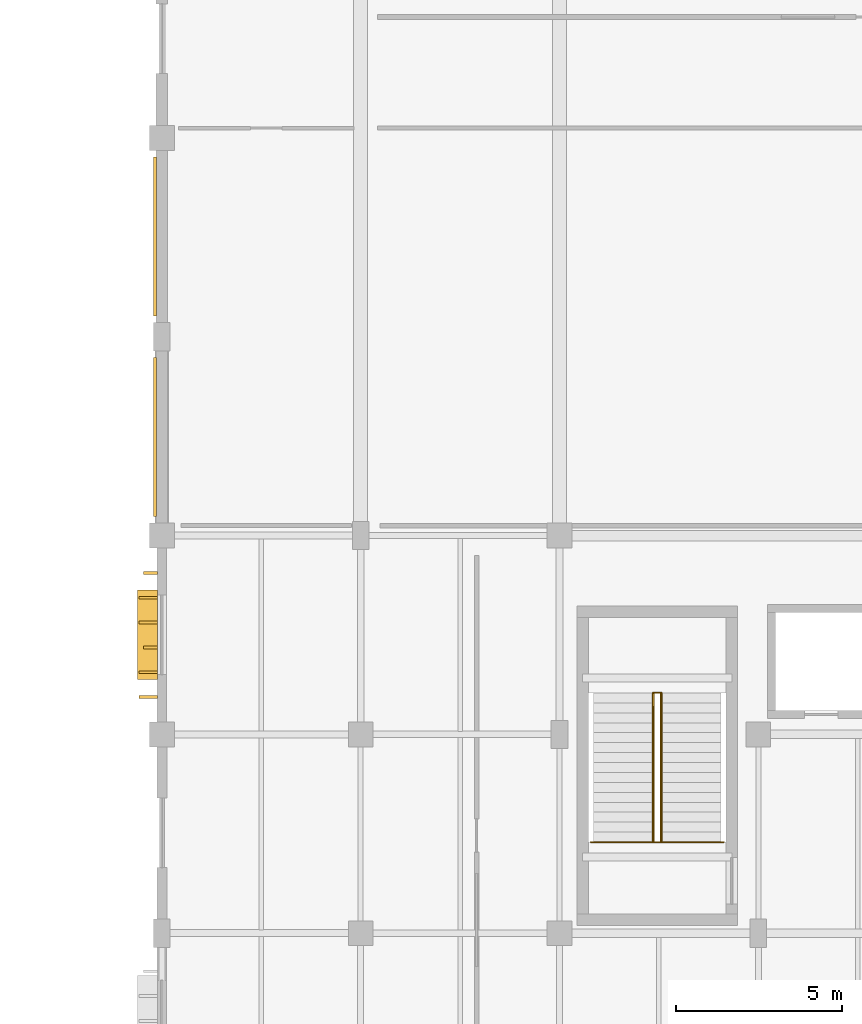
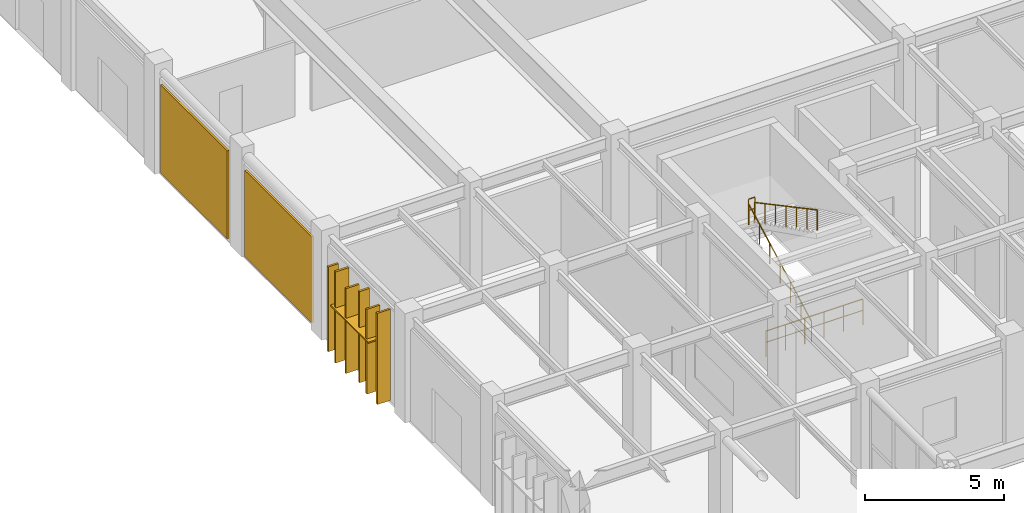
# One storey, part 68 of 76: 6 coverings, 4 railings, 3 shading devices.
"""IFC4 building model written with IfcOpenShell, lengths in metres."""

from ifc_helpers import new_model, si_unit, direction, frame, origin, origin_2d, place, context, subcontext, project, spatial, rectangle, circle, extrude, material, layer, layer_set, type_object, element, save


model = new_model("IFC4")

# Units and contexts
model_context = context("Model", 3, precision=1e-05, world=origin(), true_north=direction((0.0, 1.0)))
body_context = subcontext(model_context, "Body", "Model", "MODEL_VIEW")
ifc_project = project(units=[si_unit("LENGTHUNIT", "METRE"), si_unit("AREAUNIT", "SQUARE_METRE"), si_unit("VOLUMEUNIT", "CUBIC_METRE"), si_unit("PLANEANGLEUNIT", "RADIAN"), si_unit("MASSUNIT", "GRAM", prefix="KILO")], contexts=[model_context])

# Site, building, storey
site_placement = place(None, origin())
site = spatial("IfcSite", under=ifc_project, at=site_placement, CompositionType="ELEMENT")
building_placement = place(site_placement, origin())
building = spatial("IfcBuilding", under=site, at=building_placement, Name="Varnakota Square Police Headquarters", CompositionType="ELEMENT")
storey_placement = place(building_placement, origin())
storey = spatial("IfcBuildingStorey", under=building, at=storey_placement, Name="L00", CompositionType="ELEMENT", Elevation=0.0)

# Coverings
ifc_material_1 = material(Name="White Anodised Aluminium Vertical Facade Blade 420", Category="aluminium")
ifc_layer_1 = layer(ifc_material_1, 0.0849609375, Name="White Anodised Aluminium Vertical Facade Blade 420")
ifc_layer_set_1 = layer_set([ifc_layer_1], Name="White Anodised Aluminium Vertical Facade Blade 420")
covering_type_1 = type_object("IfcCoveringType", Name="COV-FIN-420", PredefinedType="CLADDING", material=ifc_layer_set_1)
covering_1_placement = place(storey_placement, frame((5.655029296875, 71.625, 0.0400390625), z_axis=(0.0, 0.0, 1.0), x_axis=(0.0, 1.0, 0.0)))
element("IfcCovering", 1, at=covering_1_placement, inside=storey, type_object=covering_type_1, Name="Vertical aluminium facade fin FIN-0920", PredefinedType="CLADDING", context=body_context, shape_type="SweptSolid", body=[
    extrude(rectangle(XDim=0.0849609375, YDim=0.419921875, at=origin_2d()), origin(), (0.0, 0.0, 1.0), 4.003662109375),
])
covering_2_placement = place(storey_placement, frame((5.655029296875, 73.875, 0.0400390625), z_axis=(0.0, 0.0, 1.0), x_axis=(0.0, 1.0, 0.0)))
element("IfcCovering", 2, at=covering_2_placement, inside=storey, type_object=covering_type_1, Name="Vertical aluminium facade fin FIN-0923", PredefinedType="CLADDING", context=body_context, shape_type="SweptSolid", body=[
    extrude(rectangle(XDim=0.0849609375, YDim=0.419921875, at=origin_2d()), origin(), (0.0, 0.0, 1.0), 3.7236328125),
])
ifc_material_2 = material(Name="White Anodised Aluminium Vertical Facade Blade 550", Category="aluminium")
ifc_layer_2 = layer(ifc_material_2, 0.0849609375, Name="White Anodised Aluminium Vertical Facade Blade 550")
ifc_layer_set_2 = layer_set([ifc_layer_2], Name="White Anodised Aluminium Vertical Facade Blade 550")
covering_type_2 = type_object("IfcCoveringType", Name="COV-FIN-550", PredefinedType="CLADDING", material=ifc_layer_set_2)
covering_3_placement = place(storey_placement, frame((5.590087890625, 70.125, 0.0400390625), z_axis=(0.0, 0.0, 1.0), x_axis=(0.0, 1.0, 0.0)))
element("IfcCovering", 3, at=covering_3_placement, inside=storey, type_object=covering_type_2, Name="Vertical aluminium facade fin FIN-0918", PredefinedType="CLADDING", context=body_context, shape_type="SweptSolid", body=[
    extrude(rectangle(XDim=0.0849609375, YDim=0.550048828125, at=origin_2d()), origin(), (0.0, 0.0, 1.0), 4.003662109375),
])
for number, where, z_axis, x_axis, name in (
    (4, (5.590087890625, 70.875, 0.0400390625), (0.0, 0.0, 1.0), (0.0, 1.0, 0.0), "Vertical aluminium facade fin FIN-0919"),
    (5, (5.590087890625, 72.375, 0.0400390625), (0.0, 0.0, 1.0), (0.0, 1.0, 0.0), "Vertical aluminium facade fin FIN-0921"),
):
    element("IfcCovering", number, at=place(storey_placement, frame(where, z_axis=z_axis, x_axis=x_axis)), inside=storey, type_object=covering_type_2, Name=name, PredefinedType="CLADDING", context=body_context, shape_type="SweptSolid", body=[
        extrude(rectangle(XDim=0.0849609375, YDim=0.550048828125, at=origin_2d()), origin(), (0.0, 0.0, 1.0), 3.7236328125),
    ])
covering_4_placement = place(storey_placement, frame((5.590087890625, 73.125, 0.0400390625), z_axis=(0.0, 0.0, 1.0), x_axis=(0.0, 1.0, 0.0)))
element("IfcCovering", 6, at=covering_4_placement, inside=storey, type_object=covering_type_2, Name="Vertical aluminium facade fin FIN-0922", PredefinedType="CLADDING", context=body_context, shape_type="SweptSolid", body=[
    extrude(rectangle(XDim=0.0849609375, YDim=0.550048828125, at=origin_2d()), origin(), (0.0, 0.0, 1.0), 4.003662109375),
])

# Railings
ifc_material_3 = material(Name="Brushed Stainless Steel Tubular Handrail", Category="steel")
railing_type_1 = type_object("IfcRailingType", Name="RL-HND-920", PredefinedType="HANDRAIL", material=ifc_material_3)
railing_1_placement = place(storey_placement, frame((20.830078125, 65.75, 0.0)))
element("IfcRailing", 7, at=railing_1_placement, inside=storey, type_object=railing_type_1, Name="Stair flight handrail HR-L00-055", PredefinedType="HANDRAIL", context=body_context, shape_type="SweptSolid", body=[
    extrude(circle(Radius=0.02392578125, at=origin_2d()), frame((0.0, 0.0, 0.89599609375), z_axis=(0.0, 0.882392687573, 0.470513703219), x_axis=(-1.0, 0.0, 0.0)), (0.0, 0.0, 1.0), 5.1005859375),
    extrude(circle(Radius=0.02099609375, at=origin_2d()), origin(), (0.0, 0.0, 1.0), 0.871826171875),
    extrude(circle(Radius=0.02099609375, at=origin_2d()), frame((0.0, 0.75, 0.39990234375)), (0.0, 0.0, 1.0), 0.871826171875),
    extrude(circle(Radius=0.02099609375, at=origin_2d()), frame((0.0, 1.500244140625, 0.800048828125)), (0.0, 0.0, 1.0), 0.871826171875),
    extrude(circle(Radius=0.02099609375, at=origin_2d()), frame((0.0, 2.25048828125, 1.199951171875)), (0.0, 0.0, 1.0), 0.871826171875),
    extrude(circle(Radius=0.02099609375, at=origin_2d()), frame((0.0, 3.00048828125, 1.599853515625)), (0.0, 0.0, 1.0), 0.871826171875),
    extrude(circle(Radius=0.02099609375, at=origin_2d()), frame((0.0, 3.75048828125, 2.0)), (0.0, 0.0, 1.0), 0.871826171875),
    extrude(circle(Radius=0.02099609375, at=origin_2d()), frame((0.0, 4.500732421875, 2.39990234375)), (0.0, 0.0, 1.0), 0.871826171875),
])
railing_2_placement = place(storey_placement, frame((21.070068359375, 70.250732421875, 2.39990234375)))
element("IfcRailing", 8, at=railing_2_placement, inside=storey, type_object=railing_type_1, Name="Stair flight handrail HR-L00-056", PredefinedType="HANDRAIL", context=body_context, shape_type="SweptSolid", body=[
    extrude(circle(Radius=0.02392578125, at=origin_2d()), frame((0.0, 0.0, 0.89599609375), z_axis=(0.0, -0.882372814714, 0.470550970516), x_axis=(1.0, 0.0, 0.0)), (0.0, 0.0, 1.0), 5.100830078125),
    extrude(circle(Radius=0.02099609375, at=origin_2d()), origin(), (0.0, 0.0, 1.0), 0.871826171875),
    extrude(circle(Radius=0.02099609375, at=origin_2d()), frame((0.0, -0.75, 0.39990234375)), (0.0, 0.0, 1.0), 0.871826171875),
    extrude(circle(Radius=0.02099609375, at=origin_2d()), frame((0.0, -1.500244140625, 0.800048828125)), (0.0, 0.0, 1.0), 0.871826171875),
    extrude(circle(Radius=0.02099609375, at=origin_2d()), frame((0.0, -2.25048828125, 1.2001953125)), (0.0, 0.0, 1.0), 0.871826171875),
    extrude(circle(Radius=0.02099609375, at=origin_2d()), frame((0.0, -3.00048828125, 1.60009765625)), (0.0, 0.0, 1.0), 0.871826171875),
    extrude(circle(Radius=0.02099609375, at=origin_2d()), frame((0.0, -3.75048828125, 2.0)), (0.0, 0.0, 1.0), 0.871826171875),
    extrude(circle(Radius=0.02099609375, at=origin_2d()), frame((0.0, -4.500732421875, 2.400146484375)), (0.0, 0.0, 1.0), 0.871826171875),
])
ifc_material_4 = material(Name="Laminated Glass and Stainless Steel Balustrade", Category="steel")
railing_type_2 = type_object("IfcRailingType", Name="RL-INT-1150", PredefinedType="BALUSTRADE", material=ifc_material_4)
railing_3_placement = place(storey_placement, frame((18.93994140625, 65.75, 0.0)))
element("IfcRailing", 9, at=railing_3_placement, inside=storey, type_object=railing_type_2, Name="Stair well safety guard C5 L00", PredefinedType="BALUSTRADE", context=body_context, shape_type="SweptSolid", body=[
    extrude(circle(Radius=0.02392578125, at=origin_2d()), frame((0.0, 0.0, 1.1259765625), z_axis=(1.0, 0.0, 0.0), x_axis=(0.0, 1.0, 0.0)), (0.0, 0.0, 1.0), 4.02001953125),
    extrude(circle(Radius=0.01806640625, at=origin_2d()), frame((0.0, 0.0, 0.63232421875), z_axis=(1.0, 0.0, 0.0), x_axis=(0.0, 1.0, 0.0)), (0.0, 0.0, 1.0), 4.02001953125),
    extrude(circle(Radius=0.02099609375, at=origin_2d()), origin(), (0.0, 0.0, 1.0), 1.101806640625),
    extrude(circle(Radius=0.02099609375, at=origin_2d()), frame((0.803955078125, 0.0, 0.0)), (0.0, 0.0, 1.0), 1.101806640625),
    extrude(circle(Radius=0.02099609375, at=origin_2d()), frame((1.60791015625, 0.0, 0.0)), (0.0, 0.0, 1.0), 1.101806640625),
    extrude(circle(Radius=0.02099609375, at=origin_2d()), frame((2.412109375, 0.0, 0.0)), (0.0, 0.0, 1.0), 1.101806640625),
    extrude(circle(Radius=0.02099609375, at=origin_2d()), frame((3.216064453125, 0.0, 0.0)), (0.0, 0.0, 1.0), 1.101806640625),
    extrude(circle(Radius=0.02099609375, at=origin_2d()), frame((4.02001953125, 0.0, 0.0)), (0.0, 0.0, 1.0), 1.101806640625),
])
railing_4_placement = place(storey_placement, frame((20.820068359375, 70.250732421875, 2.39990234375)))
element("IfcRailing", 10, at=railing_4_placement, inside=storey, type_object=railing_type_2, Name="Half-landing well guard C5 L00", PredefinedType="BALUSTRADE", context=body_context, shape_type="SweptSolid", body=[
    extrude(circle(Radius=0.02392578125, at=origin_2d()), frame((0.0, 0.0, 1.1259765625), z_axis=(1.0, 0.0, 0.0), x_axis=(0.0, 1.0, 0.0)), (0.0, 0.0, 1.0), 0.260009765625),
    extrude(circle(Radius=0.01806640625, at=origin_2d()), frame((0.0, 0.0, 0.63232421875), z_axis=(1.0, 0.0, 0.0), x_axis=(0.0, 1.0, 0.0)), (0.0, 0.0, 1.0), 0.260009765625),
    extrude(circle(Radius=0.02099609375, at=origin_2d()), origin(), (0.0, 0.0, 1.0), 1.101806640625),
    extrude(circle(Radius=0.02099609375, at=origin_2d()), frame((0.260009765625, 0.0, 0.0)), (0.0, 0.0, 1.0), 1.101806640625),
])

# Shading devices
ifc_material_5 = material(Name="Anodised Aluminium Horizontal Brise-Soleil", Category="aluminium")
ifc_layer_3 = layer(ifc_material_5, 0.06005859375, Name="Anodised Aluminium Horizontal Brise-Soleil")
ifc_layer_set_3 = layer_set([ifc_layer_3], Name="Anodised Aluminium Horizontal Brise-Soleil")
shading_device_type_1 = type_object("IfcShadingDeviceType", Name="SHD-JAL-600", PredefinedType="JALOUSIE", material=ifc_layer_set_3)
shading_device_1_placement = place(storey_placement, frame((5.56201171875, 72.0, 2.39990234375), z_axis=(0.0, 0.0, 1.0), x_axis=(0.0, 1.0, 0.0)))
element("IfcShadingDevice", 11, at=shading_device_1_placement, inside=storey, type_object=shading_device_type_1, Name="Horizontal sunshade SHD-044", PredefinedType="JALOUSIE", context=body_context, shape_type="SweptSolid", body=[
    extrude(rectangle(XDim=2.699951171875, YDim=0.60009765625, at=origin_2d()), origin(), (0.0, 0.0, 1.0), 0.06005859375),
])
ifc_material_6 = material(Name="Perforated Sandstone-Toned GRC Jali Screen", Category="masonry")
ifc_layer_4 = layer(ifc_material_6, 0.080078125, Name="Perforated Sandstone-Toned GRC Jali Screen")
ifc_layer_set_4 = layer_set([ifc_layer_4], Name="Perforated Sandstone-Toned GRC Jali Screen")
shading_device_type_2 = type_object("IfcShadingDeviceType", Name="SHD-SCR-GRC", PredefinedType="USERDEFINED", material=ifc_layer_set_4)
shading_device_2_placement = place(storey_placement, frame((5.7919921875, 77.97509765625, 0.14990234375), z_axis=(0.0, 0.0, 1.0), x_axis=(0.0, 1.0, 0.0)))
element("IfcShadingDevice", 12, at=shading_device_2_placement, inside=storey, type_object=shading_device_type_2, Name="Perforated GRC solar screen SCR-025", ObjectType="SOLAR SCREEN", PredefinedType="USERDEFINED", context=body_context, shape_type="SweptSolid", body=[
    extrude(rectangle(XDim=4.7919921875, YDim=0.080078125, at=origin_2d()), origin(), (0.0, 0.0, 1.0), 3.78369140625),
])
shading_device_3_placement = place(storey_placement, frame((5.7919921875, 84.02490234375, 0.14990234375), z_axis=(0.0, 0.0, 1.0), x_axis=(0.0, 1.0, 0.0)))
element("IfcShadingDevice", 13, at=shading_device_3_placement, inside=storey, type_object=shading_device_type_2, Name="Perforated GRC solar screen SCR-026", ObjectType="SOLAR SCREEN", PredefinedType="USERDEFINED", context=body_context, shape_type="SweptSolid", body=[
    extrude(rectangle(XDim=4.7919921875, YDim=0.080078125, at=origin_2d()), origin(), (0.0, 0.0, 1.0), 3.8662109375),
])

save(model, "model.ifc")
